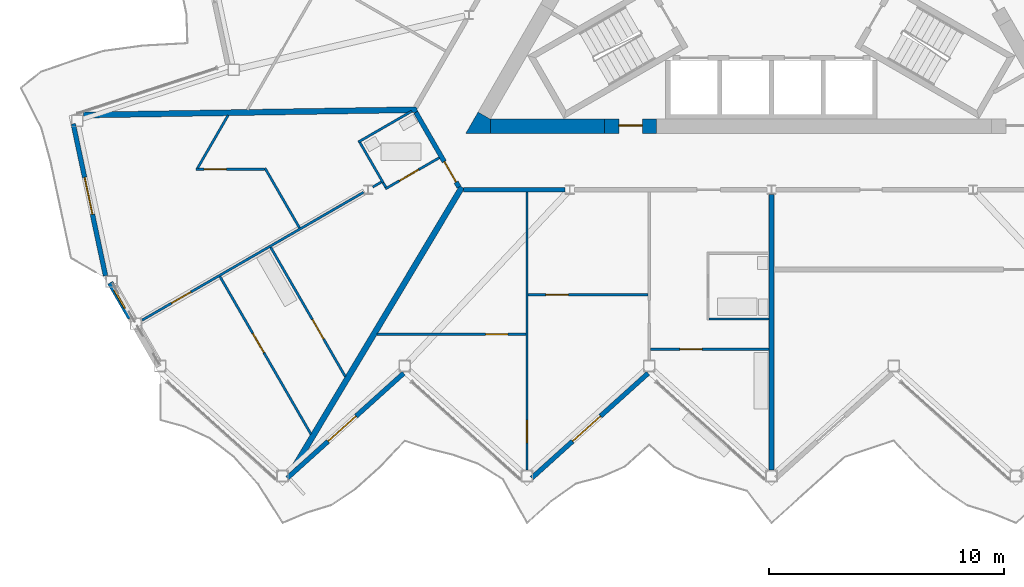
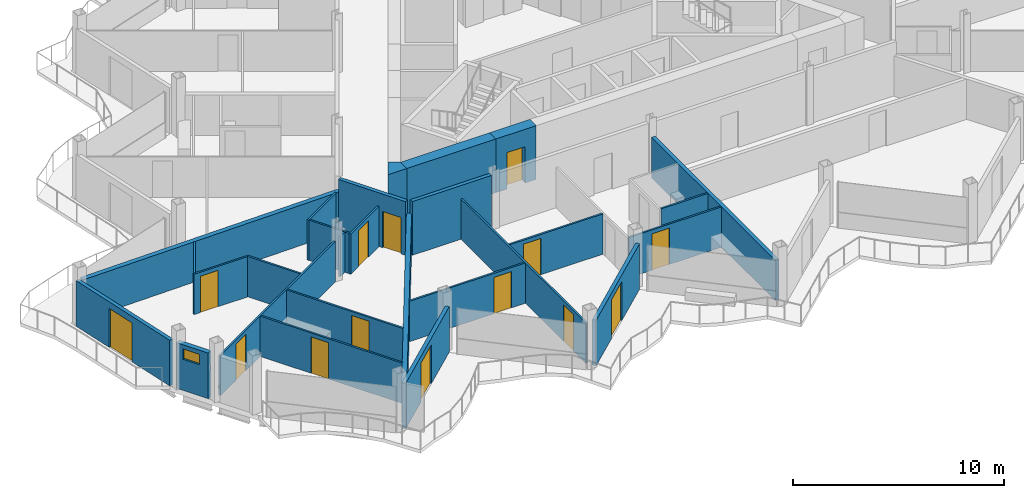
# One storey, part 12 of 26: 28 walls, 14 doors, 1 window, 15 openings.
"""IFC4 building model written with IfcOpenShell, lengths in metres."""

from ifc_helpers import new_model, si_unit, direction, frame, frame_2d, origin, place, context, subcontext, project, spatial, polyline, rectangle, outline, extrude, material, layer, layer_set, type_object, element, fill, save


model = new_model("IFC4")

# Units and contexts
model_context = context("Model", 3, precision=1e-05, world=origin(), true_north=direction((0.0, 1.0)))
body_context = subcontext(model_context, "Body", "Model", "MODEL_VIEW")
ifc_project = project(units=[si_unit("LENGTHUNIT", "METRE"), si_unit("AREAUNIT", "SQUARE_METRE"), si_unit("VOLUMEUNIT", "CUBIC_METRE"), si_unit("PLANEANGLEUNIT", "RADIAN"), si_unit("MASSUNIT", "GRAM", prefix="KILO")], contexts=[model_context])

# Site, building, storey
site_placement = place(None, origin())
site = spatial("IfcSite", under=ifc_project, at=site_placement, CompositionType="ELEMENT")
building_placement = place(site_placement, origin())
building = spatial("IfcBuilding", under=site, at=building_placement, Name="Cormorant Prow Tower", CompositionType="ELEMENT")
storey_placement = place(building_placement, frame((0.0, 0.0, 381.39990234375)))
storey = spatial("IfcBuildingStorey", under=building, at=storey_placement, Name="L86", CompositionType="ELEMENT", Elevation=381.39990234375)

# Walls
ifc_material_1 = material(Name="Concrete 8000 psi", Category="concrete")
ifc_layer_1 = layer(ifc_material_1, 0.60009765625)
ifc_layer_set_1 = layer_set([ifc_layer_1], Name="Concrete 8000 psi")
wall_type_1 = type_object("IfcWallType", Name="Core shear wall 600", PredefinedType="SHEAR", material=ifc_layer_set_1)
wall_1_placement = place(storey_placement, frame((-11.960693359375, -7.20556640625, 0.0), z_axis=(0.0, 0.0, 1.0), x_axis=(1.0, 0.0, 0.0)))
element("IfcWall", 1, at=wall_1_placement, inside=storey, type_object=wall_type_1, Name="Core wall", PredefinedType="SHEAR", context=body_context, shape_type="SweptSolid", body=[
    extrude(rectangle(XDim=4.868408203125, YDim=0.60009765625, at=frame_2d((2.43408203125, 0.0))), origin(), (0.0, 0.0, 1.0), 3.10009765625),
])
wall_2_placement = place(storey_placement, origin())
element("IfcWall", 2, at=wall_2_placement, inside=storey, type_object=wall_type_1, Name="Core wall corner", PredefinedType="SHEAR", context=body_context, shape_type="SweptSolid", body=[
    extrude(outline(polyline([(-12.48046875, -6.605712890625), (-11.960693359375, -6.905517578125), (-11.960693359375, -7.505615234375), (-13.0, -7.505615234375), (-12.48046875, -6.605712890625)])), origin(), (0.0, 0.0, 1.0), 3.10009765625),
])

# Wall, opening, door
wall_3_placement = place(storey_placement, frame((-7.09228515625, -7.20556640625, 0.0), z_axis=(0.0, 0.0, 1.0), x_axis=(1.0, 0.0, 0.0)))
wall_3 = element("IfcWall", 3, at=wall_3_placement, inside=storey, type_object=wall_type_1, Name="Core wall door panel", PredefinedType="SHEAR", context=body_context, shape_type="SweptSolid", body=[
    extrude(rectangle(XDim=2.2001953125, YDim=0.60009765625, at=frame_2d((1.10009765625, 0.0))), origin(), (0.0, 0.0, 1.0), 3.10009765625),
])
opening_1_placement = place(wall_3_placement, frame((0.60009765625, 0.0, 0.0)))
opening_1 = element("IfcOpeningElement", 4, at=opening_1_placement, cuts=wall_3, Name="Opening L86-C16", PredefinedType="OPENING", context=body_context, shape_type="SweptSolid", body=[
    extrude(rectangle(XDim=1.0, YDim=2.10009765625, at=frame_2d((0.5, 1.050048828125))), frame((0.0, 0.31005859375, 0.0), z_axis=(0.0, -1.0, 0.0), x_axis=(1.0, 0.0, 0.0)), (0.0, 0.0, 1.0), 0.6201171875),
])
ifc_material_2 = material(Name="Painted steel", Category="steel")
door_type_1 = type_object("IfcDoorType", Name="Service door 1000x2100", OperationType="NOTDEFINED", PredefinedType="DOOR", material=ifc_material_2)
door_1_placement = place(opening_1_placement, origin())
door_1 = element("IfcDoor", 5, at=door_1_placement, inside=storey, type_object=door_type_1, Name="Core door, Pantry store", OperationType="SINGLE_SWING_LEFT", OverallHeight=2.10009765625, OverallWidth=1.0, PredefinedType="DOOR", context=body_context, shape_type="SweptSolid", body=[
    extrude(rectangle(XDim=1.0, YDim=2.10009765625, at=frame_2d((0.5, 1.050048828125))), frame((0.0, 0.05517578125, 0.0), z_axis=(0.0, -1.0, 0.0), x_axis=(1.0, 0.0, 0.0)), (0.0, 0.0, 1.0), 0.050048828125),
])
fill(opening_1, door_1)

# Wall
ifc_material_3 = material(Name="Gypsum board corridor wall")
ifc_layer_2 = layer(ifc_material_3, 0.199951171875)
ifc_layer_set_2 = layer_set([ifc_layer_2], Name="Gypsum board corridor wall")
wall_type_2 = type_object("IfcWallType", Name="Corridor wall 200", PredefinedType="PARTITIONING", material=ifc_layer_set_2)
wall_4_placement = place(storey_placement, frame((-13.10595703125, -9.905517578125, 0.0), z_axis=(0.0, 0.0, 1.0), x_axis=(1.0, 0.0, 0.0)))
element("IfcWall", 6, at=wall_4_placement, inside=storey, type_object=wall_type_2, Name="Corridor wall", PredefinedType="PARTITIONING", context=body_context, shape_type="SweptSolid", body=[
    extrude(rectangle(XDim=4.33056640625, YDim=0.199951171875, at=frame_2d((2.165283203125, 0.0))), origin(), (0.0, 0.0, 1.0), 3.10009765625),
])

# Wall, opening, door
wall_5_placement = place(storey_placement, frame((-15.13134765625, -6.61376953125, 0.0), z_axis=(0.0, 0.0, 1.0), x_axis=(0.499967746641, -0.866044024469, 0.0)))
wall_5 = element("IfcWall", 7, at=wall_5_placement, inside=storey, type_object=wall_type_2, Name="Corridor wall", PredefinedType="PARTITIONING", context=body_context, shape_type="SweptSolid", body=[
    extrude(rectangle(XDim=3.676025390625, YDim=0.199951171875, at=frame_2d((1.837890625, 0.0))), origin(), (0.0, 0.0, 1.0), 3.10009765625),
])
opening_2_placement = place(wall_5_placement, frame((2.426025390625, 0.0, 0.0)))
opening_2 = element("IfcOpeningElement", 8, at=opening_2_placement, cuts=wall_5, Name="Opening L86-F46", PredefinedType="OPENING", context=body_context, shape_type="SweptSolid", body=[
    extrude(rectangle(XDim=1.0, YDim=2.10009765625, at=frame_2d((0.5, 1.050048828125))), frame((0.0, 0.10986328125, 0.0), z_axis=(0.0, -1.0, 0.0), x_axis=(1.0, 0.0, 0.0)), (0.0, 0.0, 1.0), 0.219970703125),
])
ifc_material_4 = material(Name="Timber door leaf", Category="wood")
door_type_2 = type_object("IfcDoorType", Name="Flat or room entrance door 1000x2100", OperationType="NOTDEFINED", PredefinedType="DOOR", material=ifc_material_4)
door_2_placement = place(opening_2_placement, origin())
door_2 = element("IfcDoor", 9, at=door_2_placement, inside=storey, type_object=door_type_2, Name="Living room door", OperationType="SINGLE_SWING_RIGHT", OverallHeight=2.10009765625, OverallWidth=1.0, PredefinedType="DOOR", context=body_context, shape_type="SweptSolid", body=[
    extrude(rectangle(XDim=1.0, YDim=2.10009765625, at=frame_2d((0.5, 1.050048828125))), frame((0.0, 0.02490234375, 0.0), z_axis=(0.0, -1.0, 0.0), x_axis=(1.0, 0.0, 0.0)), (0.0, 0.0, 1.0), 0.050048828125),
])
fill(opening_2, door_2)

# Wall
ifc_material_5 = material(Name="Gypsum board demising wall")
ifc_layer_3 = layer(ifc_material_5, 0.199951171875)
ifc_layer_set_3 = layer_set([ifc_layer_3], Name="Gypsum board demising wall")
wall_type_3 = type_object("IfcWallType", Name="Demising wall 200", PredefinedType="PARTITIONING", material=ifc_layer_set_3)
wall_6_placement = place(storey_placement, frame((0.0, -21.827880859375, 0.0), z_axis=(0.0, 0.0, 1.0), x_axis=(0.0, 1.0, 0.0)))
element("IfcWall", 10, at=wall_6_placement, inside=storey, type_object=wall_type_3, Name="Demising wall", PredefinedType="PARTITIONING", context=body_context, shape_type="SweptSolid", body=[
    extrude(rectangle(XDim=11.725341796875, YDim=0.199951171875, at=frame_2d((5.86279296875, 0.0))), origin(), (0.0, 0.0, 1.0), 2.330078125),
])

# Wall, opening, door
ifc_material_6 = material(Name="Gypsum board partition")
ifc_layer_4 = layer(ifc_material_6, 0.10009765625)
ifc_layer_set_4 = layer_set([ifc_layer_4], Name="Gypsum board partition")
wall_type_4 = type_object("IfcWallType", Name="Internal partition 100", PredefinedType="PARTITIONING", material=ifc_layer_set_4)
wall_7_placement = place(storey_placement, frame((-10.39990234375, -21.827880859375, 0.0), z_axis=(0.0, 0.0, 1.0), x_axis=(0.0, 1.0, 0.0)))
wall_7 = element("IfcWall", 11, at=wall_7_placement, inside=storey, type_object=wall_type_4, Name="Internal partition", PredefinedType="PARTITIONING", context=body_context, shape_type="SweptSolid", body=[
    extrude(rectangle(XDim=11.822265625, YDim=0.10009765625, at=frame_2d((5.9111328125, 0.0))), origin(), (0.0, 0.0, 1.0), 2.330078125),
])
opening_3_placement = place(wall_7_placement, frame((1.15625, 0.0, 0.0)))
opening_3 = element("IfcOpeningElement", 12, at=opening_3_placement, cuts=wall_7, Name="Opening L86-F06", PredefinedType="OPENING", context=body_context, shape_type="SweptSolid", body=[
    extrude(rectangle(XDim=0.949951171875, YDim=2.10009765625, at=frame_2d((0.47509765625, 1.050048828125))), frame((0.0, 0.06005859375, 0.0), z_axis=(0.0, -1.0, 0.0), x_axis=(1.0, 0.0, 0.0)), (0.0, 0.0, 1.0), 0.1201171875),
])
ifc_material_7 = material(Name="Timber door leaf", Category="wood")
door_type_3 = type_object("IfcDoorType", Name="Bathroom door 950x2100", OperationType="NOTDEFINED", PredefinedType="DOOR", material=ifc_material_7)
door_3_placement = place(opening_3_placement, origin())
door_3 = element("IfcDoor", 13, at=door_3_placement, inside=storey, type_object=door_type_3, Name="Bedroom door", OperationType="SINGLE_SWING_RIGHT", OverallHeight=2.10009765625, OverallWidth=0.949951171875, PredefinedType="DOOR", context=body_context, shape_type="SweptSolid", body=[
    extrude(rectangle(XDim=0.949951171875, YDim=2.10009765625, at=frame_2d((0.47509765625, 1.050048828125))), frame((0.0, 0.02490234375, 0.0), z_axis=(0.0, -1.0, 0.0), x_axis=(1.0, 0.0, 0.0)), (0.0, 0.0, 1.0), 0.050048828125),
])
fill(opening_3, door_3)

wall_8_placement = place(storey_placement, frame((-26.77685546875, -15.459716796875, 0.0), z_axis=(0.0, 0.0, 1.0), x_axis=(0.866019680922, 0.500009912158, 0.0)))
wall_8 = element("IfcWall", 14, at=wall_8_placement, inside=storey, type_object=wall_type_4, Name="Internal partition", PredefinedType="PARTITIONING", context=body_context, shape_type="SweptSolid", body=[
    extrude(rectangle(XDim=10.880615234375, YDim=0.10009765625, at=frame_2d((5.4404296875, 0.0))), origin(), (0.0, 0.0, 1.0), 2.330078125),
])
opening_4_placement = place(wall_8_placement, frame((1.453857421875, 0.0, 0.0)))
opening_4 = element("IfcOpeningElement", 15, at=opening_4_placement, cuts=wall_8, Name="Opening L86-F50", PredefinedType="OPENING", context=body_context, shape_type="SweptSolid", body=[
    extrude(rectangle(XDim=0.949951171875, YDim=2.10009765625, at=frame_2d((0.47509765625, 1.050048828125))), frame((0.0, 0.06005859375, 0.0), z_axis=(0.0, -1.0, 0.0), x_axis=(1.0, 0.0, 0.0)), (0.0, 0.0, 1.0), 0.1201171875),
])
door_4_placement = place(opening_4_placement, origin())
door_4 = element("IfcDoor", 16, at=door_4_placement, inside=storey, type_object=door_type_3, Name="Dining room door", OperationType="SINGLE_SWING_LEFT", OverallHeight=2.10009765625, OverallWidth=0.949951171875, PredefinedType="DOOR", context=body_context, shape_type="SweptSolid", body=[
    extrude(rectangle(XDim=0.949951171875, YDim=2.10009765625, at=frame_2d((0.47509765625, 1.050048828125))), frame((0.0, 0.02490234375, 0.0), z_axis=(0.0, -1.0, 0.0), x_axis=(1.0, 0.0, 0.0)), (0.0, 0.0, 1.0), 0.050048828125),
])
fill(opening_4, door_4)

wall_9_placement = place(storey_placement, frame((-23.461669921875, -13.603271484375, 0.0), z_axis=(0.0, 0.0, 1.0), x_axis=(0.499998111909, -0.866026493871, 0.0)))
wall_9 = element("IfcWall", 17, at=wall_9_placement, inside=storey, type_object=wall_type_4, Name="Internal partition", PredefinedType="PARTITIONING", context=body_context, shape_type="SweptSolid", body=[
    extrude(rectangle(XDim=7.7431640625, YDim=0.10009765625, at=frame_2d((3.87158203125, 0.0))), origin(), (0.0, 0.0, 1.0), 2.330078125),
])
opening_5_placement = place(wall_9_placement, frame((2.78759765625, 0.0, 0.0)))
opening_5 = element("IfcOpeningElement", 18, at=opening_5_placement, cuts=wall_9, Name="Opening L86-F49", PredefinedType="OPENING", context=body_context, shape_type="SweptSolid", body=[
    extrude(rectangle(XDim=0.949951171875, YDim=2.10009765625, at=frame_2d((0.47509765625, 1.050048828125))), frame((0.0, 0.06005859375, 0.0), z_axis=(0.0, -1.0, 0.0), x_axis=(1.0, 0.0, 0.0)), (0.0, 0.0, 1.0), 0.1201171875),
])
door_5_placement = place(opening_5_placement, origin())
door_5 = element("IfcDoor", 19, at=door_5_placement, inside=storey, type_object=door_type_3, Name="Kitchen door", OperationType="SINGLE_SWING_RIGHT", OverallHeight=2.10009765625, OverallWidth=0.949951171875, PredefinedType="DOOR", context=body_context, shape_type="SweptSolid", body=[
    extrude(rectangle(XDim=0.949951171875, YDim=2.10009765625, at=frame_2d((0.47509765625, 1.050048828125))), frame((0.0, 0.02490234375, 0.0), z_axis=(0.0, -1.0, 0.0), x_axis=(1.0, 0.0, 0.0)), (0.0, 0.0, 1.0), 0.050048828125),
])
fill(opening_5, door_5)

wall_10_placement = place(storey_placement, frame((-21.30419921875, -12.35791015625, 0.0), z_axis=(0.0, 0.0, 1.0), x_axis=(0.500000558108, -0.866025081561, 0.0)))
wall_10 = element("IfcWall", 20, at=wall_10_placement, inside=storey, type_object=wall_type_4, Name="Internal partition", PredefinedType="PARTITIONING", context=body_context, shape_type="SweptSolid", body=[
    extrude(rectangle(XDim=6.35791015625, YDim=0.10009765625, at=frame_2d((3.178955078125, 0.0))), origin(), (0.0, 0.0, 1.0), 2.330078125),
])
opening_6_placement = place(wall_10_placement, frame((3.555419921875, 0.0, 0.0)))
opening_6 = element("IfcOpeningElement", 21, at=opening_6_placement, cuts=wall_10, Name="Opening L86-F48", PredefinedType="OPENING", context=body_context, shape_type="SweptSolid", body=[
    extrude(rectangle(XDim=0.949951171875, YDim=2.10009765625, at=frame_2d((0.47509765625, 1.050048828125))), frame((0.0, 0.06005859375, 0.0), z_axis=(0.0, -1.0, 0.0), x_axis=(1.0, 0.0, 0.0)), (0.0, 0.0, 1.0), 0.1201171875),
])
door_6_placement = place(opening_6_placement, origin())
door_6 = element("IfcDoor", 22, at=door_6_placement, inside=storey, type_object=door_type_3, Name="Living room door", OperationType="SINGLE_SWING_RIGHT", OverallHeight=2.10009765625, OverallWidth=0.949951171875, PredefinedType="DOOR", context=body_context, shape_type="SweptSolid", body=[
    extrude(rectangle(XDim=0.949951171875, YDim=2.10009765625, at=frame_2d((0.47509765625, 1.050048828125))), frame((0.0, 0.02490234375, 0.0), z_axis=(0.0, -1.0, 0.0), x_axis=(1.0, 0.0, 0.0)), (0.0, 0.0, 1.0), 0.050048828125),
])
fill(opening_6, door_6)

wall_11_placement = place(storey_placement, frame((-16.781494140625, -16.055419921875, 0.0), z_axis=(0.0, 0.0, 1.0), x_axis=(1.0, 0.0, 0.0)))
wall_11 = element("IfcWall", 23, at=wall_11_placement, inside=storey, type_object=wall_type_4, Name="Internal partition", PredefinedType="PARTITIONING", context=body_context, shape_type="SweptSolid", body=[
    extrude(rectangle(XDim=6.33154296875, YDim=0.10009765625, at=frame_2d((3.165771484375, 0.0))), origin(), (0.0, 0.0, 1.0), 2.330078125),
])
opening_7_placement = place(wall_11_placement, frame((4.623046875, 0.0, 0.0)))
opening_7 = element("IfcOpeningElement", 24, at=opening_7_placement, cuts=wall_11, Name="Opening L86-F07", PredefinedType="OPENING", context=body_context, shape_type="SweptSolid", body=[
    extrude(rectangle(XDim=0.949951171875, YDim=2.10009765625, at=frame_2d((0.47509765625, 1.050048828125))), frame((0.0, 0.06005859375, 0.0), z_axis=(0.0, -1.0, 0.0), x_axis=(1.0, 0.0, 0.0)), (0.0, 0.0, 1.0), 0.1201171875),
])
door_7_placement = place(opening_7_placement, origin())
door_7 = element("IfcDoor", 25, at=door_7_placement, inside=storey, type_object=door_type_3, Name="Bedroom door", OperationType="SINGLE_SWING_RIGHT", OverallHeight=2.10009765625, OverallWidth=0.949951171875, PredefinedType="DOOR", context=body_context, shape_type="SweptSolid", body=[
    extrude(rectangle(XDim=0.949951171875, YDim=2.10009765625, at=frame_2d((0.47509765625, 1.050048828125))), frame((0.0, 0.02490234375, 0.0), z_axis=(0.0, -1.0, 0.0), x_axis=(1.0, 0.0, 0.0)), (0.0, 0.0, 1.0), 0.050048828125),
])
fill(opening_7, door_7)

wall_12_placement = place(storey_placement, frame((-5.14990234375, -16.689208984375, 0.0), z_axis=(0.0, 0.0, 1.0), x_axis=(1.0, 0.0, 0.0)))
wall_12 = element("IfcWall", 26, at=wall_12_placement, inside=storey, type_object=wall_type_4, Name="Internal partition", PredefinedType="PARTITIONING", context=body_context, shape_type="SweptSolid", body=[
    extrude(rectangle(XDim=5.0498046875, YDim=0.10009765625, at=frame_2d((2.52490234375, 0.0))), origin(), (0.0, 0.0, 1.0), 2.330078125),
])
opening_8_placement = place(wall_12_placement, frame((1.25, 0.0, 0.0)))
opening_8 = element("IfcOpeningElement", 27, at=opening_8_placement, cuts=wall_12, Name="Opening L86-F03", PredefinedType="OPENING", context=body_context, shape_type="SweptSolid", body=[
    extrude(rectangle(XDim=0.949951171875, YDim=2.10009765625, at=frame_2d((0.47509765625, 1.050048828125))), frame((0.0, 0.06005859375, 0.0), z_axis=(0.0, -1.0, 0.0), x_axis=(1.0, 0.0, 0.0)), (0.0, 0.0, 1.0), 0.1201171875),
])
door_8_placement = place(opening_8_placement, origin())
door_8 = element("IfcDoor", 28, at=door_8_placement, inside=storey, type_object=door_type_3, Name="Living room door", OperationType="SINGLE_SWING_RIGHT", OverallHeight=2.10009765625, OverallWidth=0.949951171875, PredefinedType="DOOR", context=body_context, shape_type="SweptSolid", body=[
    extrude(rectangle(XDim=0.949951171875, YDim=2.10009765625, at=frame_2d((0.47509765625, 1.050048828125))), frame((0.0, 0.02490234375, 0.0), z_axis=(0.0, -1.0, 0.0), x_axis=(1.0, 0.0, 0.0)), (0.0, 0.0, 1.0), 0.050048828125),
])
fill(opening_8, door_8)

wall_13_placement = place(storey_placement, frame((-10.35009765625, -14.381591796875, 0.0), z_axis=(0.0, 0.0, 1.0), x_axis=(1.0, 0.0, 0.0)))
wall_13 = element("IfcWall", 29, at=wall_13_placement, inside=storey, type_object=wall_type_4, Name="Internal partition", PredefinedType="PARTITIONING", context=body_context, shape_type="SweptSolid", body=[
    extrude(rectangle(XDim=5.10009765625, YDim=0.10009765625, at=frame_2d((2.550048828125, 0.0))), origin(), (0.0, 0.0, 1.0), 2.330078125),
])
opening_9_placement = place(wall_13_placement, frame((0.7568359375, 0.0, 0.0)))
opening_9 = element("IfcOpeningElement", 30, at=opening_9_placement, cuts=wall_13, Name="Opening L86-F05", PredefinedType="OPENING", context=body_context, shape_type="SweptSolid", body=[
    extrude(rectangle(XDim=0.949951171875, YDim=2.10009765625, at=frame_2d((0.47509765625, 1.050048828125))), frame((0.0, 0.06005859375, 0.0), z_axis=(0.0, -1.0, 0.0), x_axis=(1.0, 0.0, 0.0)), (0.0, 0.0, 1.0), 0.1201171875),
])
door_9_placement = place(opening_9_placement, origin())
door_9 = element("IfcDoor", 31, at=door_9_placement, inside=storey, type_object=door_type_3, Name="Bedroom door", OperationType="SINGLE_SWING_LEFT", OverallHeight=2.10009765625, OverallWidth=0.949951171875, PredefinedType="DOOR", context=body_context, shape_type="SweptSolid", body=[
    extrude(rectangle(XDim=0.949951171875, YDim=2.10009765625, at=frame_2d((0.47509765625, 1.050048828125))), frame((0.0, 0.02490234375, 0.0), z_axis=(0.0, -1.0, 0.0), x_axis=(1.0, 0.0, 0.0)), (0.0, 0.0, 1.0), 0.050048828125),
])
fill(opening_9, door_9)

# Wall
wall_14_placement = place(storey_placement, frame((-21.5458984375, -8.98876953125, 0.0), z_axis=(0.0, 0.0, 1.0), x_axis=(0.499919039967, -0.866072141036, 0.0)))
element("IfcWall", 32, at=wall_14_placement, inside=storey, type_object=wall_type_4, Name="Internal partition", PredefinedType="PARTITIONING", context=body_context, shape_type="SweptSolid", body=[
    extrude(rectangle(XDim=2.9384765625, YDim=0.10009765625, at=frame_2d((1.46923828125, 0.0))), origin(), (0.0, 0.0, 1.0), 2.330078125),
])

# Wall, opening, door
wall_15_placement = place(storey_placement, frame((-24.488525390625, -9.031982421875, 0.0), z_axis=(0.0, 0.0, 1.0), x_axis=(1.0, 0.0, 0.0)))
wall_15 = element("IfcWall", 33, at=wall_15_placement, inside=storey, type_object=wall_type_4, Name="Internal partition", PredefinedType="PARTITIONING", context=body_context, shape_type="SweptSolid", body=[
    extrude(rectangle(XDim=2.91748046875, YDim=0.10009765625, at=frame_2d((1.458740234375, 0.0))), origin(), (0.0, 0.0, 1.0), 2.330078125),
])
opening_10_placement = place(wall_15_placement, frame((0.354736328125, 0.0, 0.0)))
opening_10 = element("IfcOpeningElement", 34, at=opening_10_placement, cuts=wall_15, Name="Opening L86-F51", PredefinedType="OPENING", context=body_context, shape_type="SweptSolid", body=[
    extrude(rectangle(XDim=0.949951171875, YDim=2.10009765625, at=frame_2d((0.47509765625, 1.050048828125))), frame((0.0, 0.06005859375, 0.0), z_axis=(0.0, -1.0, 0.0), x_axis=(1.0, 0.0, 0.0)), (0.0, 0.0, 1.0), 0.1201171875),
])
door_10_placement = place(opening_10_placement, origin())
door_10 = element("IfcDoor", 35, at=door_10_placement, inside=storey, type_object=door_type_3, Name="Principal bedroom door", OperationType="SINGLE_SWING_LEFT", OverallHeight=2.10009765625, OverallWidth=0.949951171875, PredefinedType="DOOR", context=body_context, shape_type="SweptSolid", body=[
    extrude(rectangle(XDim=0.949951171875, YDim=2.10009765625, at=frame_2d((0.47509765625, 1.050048828125))), frame((0.0, 0.02490234375, 0.0), z_axis=(0.0, -1.0, 0.0), x_axis=(1.0, 0.0, 0.0)), (0.0, 0.0, 1.0), 0.050048828125),
])
fill(opening_10, door_10)

# Walls
wall_16_placement = place(storey_placement, frame((-24.41357421875, -8.98876953125, 0.0), z_axis=(0.0, 0.0, 1.0), x_axis=(0.500042595688, 0.866000809756, 0.0)))
element("IfcWall", 36, at=wall_16_placement, inside=storey, type_object=wall_type_4, Name="Internal partition", PredefinedType="PARTITIONING", context=body_context, shape_type="SweptSolid", body=[
    extrude(rectangle(XDim=2.596435546875, YDim=0.10009765625, at=frame_2d((1.29833984375, 0.0))), origin(), (0.0, 0.0, 1.0), 2.330078125),
])
wall_17_placement = place(storey_placement, frame((-2.64990234375, -15.405517578125, 0.0), z_axis=(0.0, 0.0, 1.0), x_axis=(1.0, 0.0, 0.0)))
element("IfcWall", 37, at=wall_17_placement, inside=storey, type_object=wall_type_4, Name="Internal partition", PredefinedType="PARTITIONING", context=body_context, shape_type="SweptSolid", body=[
    extrude(rectangle(XDim=2.5498046875, YDim=0.10009765625, at=frame_2d((1.27490234375, 0.0))), origin(), (0.0, 0.0, 1.0), 2.330078125),
])
wall_18_placement = place(storey_placement, frame((-17.575439453125, -7.880615234375, 0.0), z_axis=(0.0, 0.0, 1.0), x_axis=(0.866036909293, 0.499980071345, 0.0)))
element("IfcWall", 38, at=wall_18_placement, inside=storey, type_object=wall_type_4, Name="Internal partition", PredefinedType="PARTITIONING", context=body_context, shape_type="SweptSolid", body=[
    extrude(rectangle(XDim=2.625, YDim=0.10009765625, at=frame_2d((1.3125, 0.0))), origin(), (0.0, 0.0, 1.0), 2.330078125),
])

# Wall, opening, door
wall_19_placement = place(storey_placement, frame((-16.4248046875, -9.871826171875, 0.0), z_axis=(0.0, 0.0, 1.0), x_axis=(0.86603978909, 0.499975083092, 0.0)))
wall_19 = element("IfcWall", 39, at=wall_19_placement, inside=storey, type_object=wall_type_4, Name="Internal partition", PredefinedType="PARTITIONING", context=body_context, shape_type="SweptSolid", body=[
    extrude(rectangle(XDim=2.649169921875, YDim=0.10009765625, at=frame_2d((1.32470703125, 0.0))), origin(), (0.0, 0.0, 1.0), 2.330078125),
])
opening_11_placement = place(wall_19_placement, frame((0.68603515625, 0.0, 0.0)))
opening_11 = element("IfcOpeningElement", 40, at=opening_11_placement, cuts=wall_19, Name="Opening L86-F47", PredefinedType="OPENING", context=body_context, shape_type="SweptSolid", body=[
    extrude(rectangle(XDim=0.949951171875, YDim=2.10009765625, at=frame_2d((0.47509765625, 1.050048828125))), frame((0.0, 0.06005859375, 0.0), z_axis=(0.0, -1.0, 0.0), x_axis=(1.0, 0.0, 0.0)), (0.0, 0.0, 1.0), 0.1201171875),
])
door_11_placement = place(opening_11_placement, origin())
door_11 = element("IfcDoor", 41, at=door_11_placement, inside=storey, type_object=door_type_3, Name="Living room door", OperationType="SINGLE_SWING_LEFT", OverallHeight=2.10009765625, OverallWidth=0.949951171875, PredefinedType="DOOR", context=body_context, shape_type="SweptSolid", body=[
    extrude(rectangle(XDim=0.949951171875, YDim=2.10009765625, at=frame_2d((0.47509765625, 1.050048828125))), frame((0.0, 0.02490234375, 0.0), z_axis=(0.0, -1.0, 0.0), x_axis=(1.0, 0.0, 0.0)), (0.0, 0.0, 1.0), 0.050048828125),
])
fill(opening_11, door_11)

# Walls
wall_20_placement = place(storey_placement, frame((-17.507080078125, -7.898681640625, 0.0), z_axis=(0.0, 0.0, 1.0), x_axis=(0.500011643316, -0.866018681408, 0.0)))
element("IfcWall", 42, at=wall_20_placement, inside=storey, type_object=wall_type_4, Name="Internal partition", PredefinedType="PARTITIONING", context=body_context, shape_type="SweptSolid", body=[
    extrude(rectangle(XDim=1.97314453125, YDim=0.10009765625, at=frame_2d((0.986572265625, 0.0))), origin(), (0.0, 0.0, 1.0), 2.330078125),
])
wall_21_placement = place(storey_placement, frame((-16.9599609375, -9.791748046875, 0.0), z_axis=(0.0, 0.0, 1.0), x_axis=(0.866137484628, 0.499805820016, 0.0)))
element("IfcWall", 43, at=wall_21_placement, inside=storey, type_object=wall_type_4, Name="Internal partition", PredefinedType="PARTITIONING", context=body_context, shape_type="SweptSolid", body=[
    extrude(rectangle(XDim=0.422607421875, YDim=0.10009765625, at=frame_2d((0.21142578125, 0.0))), origin(), (0.0, 0.0, 1.0), 2.330078125),
])
wall_22_placement = place(storey_placement, frame((-16.519287109375, -9.609619140625, 0.0), z_axis=(0.0, 0.0, 1.0), x_axis=(0.50245032488, -0.864606078528, 0.0)))
element("IfcWall", 44, at=wall_22_placement, inside=storey, type_object=wall_type_4, Name="Internal partition", PredefinedType="PARTITIONING", context=body_context, shape_type="SweptSolid", body=[
    extrude(rectangle(XDim=0.224365234375, YDim=0.10009765625, at=frame_2d((0.1123046875, 0.0))), origin(), (0.0, 0.0, 1.0), 2.330078125),
])
ifc_material_8 = material(Name="Acoustic gypsum party wall")
ifc_layer_5 = layer(ifc_material_8, 0.25)
ifc_layer_set_5 = layer_set([ifc_layer_5], Name="Acoustic gypsum party wall")
wall_type_5 = type_object("IfcWallType", Name="Suite party wall 250", PredefinedType="PARTITIONING", material=ifc_layer_set_5)
wall_23_placement = place(storey_placement, frame((-20.33837890625, -21.77099609375, 0.0), z_axis=(0.0, 0.0, 1.0), x_axis=(0.513878217441, 0.857863146218, 0.0)))
element("IfcWall", 45, at=wall_23_placement, inside=storey, type_object=wall_type_5, Name="Suite party wall", PredefinedType="PARTITIONING", context=body_context, shape_type="SweptSolid", body=[
    extrude(rectangle(XDim=13.956298828125, YDim=0.25, at=frame_2d((6.97802734375, 0.0))), origin(), (0.0, 0.0, 1.0), 2.330078125),
])
wall_24_placement = place(storey_placement, frame((-29.2685546875, -6.73193359375, 0.0), z_axis=(0.0, 0.0, 1.0), x_axis=(0.999870533117, 0.016090898164, 0.0)))
element("IfcWall", 46, at=wall_24_placement, inside=storey, type_object=wall_type_5, Name="Suite party wall", PredefinedType="PARTITIONING", context=body_context, shape_type="SweptSolid", body=[
    extrude(rectangle(XDim=14.20166015625, YDim=0.25, at=frame_2d((7.100830078125, 0.0))), origin(), (0.0, 0.0, 1.0), 2.330078125),
])

# Wall, opening, window
ifc_material_9 = material(Name="Terracotta", Category="masonry")
ifc_layer_6 = layer(ifc_material_9, 0.25)
ifc_layer_set_6 = layer_set([ifc_layer_6], Name="Terracotta")
wall_type_6 = type_object("IfcWallType", Name="Terracotta bay wall 250", PredefinedType="SOLIDWALL", material=ifc_layer_set_6)
wall_25_placement = place(storey_placement, frame((-28.13232421875, -13.8662109375, 0.0), z_axis=(0.0, 0.0, 1.0), x_axis=(0.499975693202, -0.866039436866, 0.0)))
wall_25 = element("IfcWall", 47, at=wall_25_placement, inside=storey, type_object=wall_type_6, Name="Terracotta bay wall WSW00", PredefinedType="SOLIDWALL", context=body_context, shape_type="SweptSolid", body=[
    extrude(rectangle(XDim=1.724609375, YDim=0.25, at=frame_2d((0.8623046875, 0.0))), origin(), (0.0, 0.0, 1.0), 2.634033203125),
])
opening_12_placement = place(wall_25_placement, frame((0.35009765625, 0.0, 1.800048828125)))
opening_12 = element("IfcOpeningElement", 48, at=opening_12_placement, cuts=wall_25, Name="Opening WN7", PredefinedType="OPENING", context=body_context, shape_type="SweptSolid", body=[
    extrude(rectangle(XDim=0.89990234375, YDim=0.60009765625, at=frame_2d((0.449951171875, 0.300048828125))), frame((0.0, 0.135009765625, 0.0), z_axis=(0.0, -1.0, 0.0), x_axis=(1.0, 0.0, 0.0)), (0.0, 0.0, 1.0), 0.27001953125),
])
ifc_material_10 = material(Name="Aluminium 6063-T6", Category="aluminium")
window_type = type_object("IfcWindowType", Name="Corner bay window 900x600", PartitioningType="SINGLE_PANEL", PredefinedType="WINDOW", material=ifc_material_10)
window_placement = place(opening_12_placement, origin())
window = element("IfcWindow", 49, at=window_placement, inside=storey, type_object=window_type, Name="Corner bay window WSW00", OverallHeight=0.60009765625, OverallWidth=0.89990234375, PartitioningType="SINGLE_PANEL", PredefinedType="WINDOW", context=body_context, shape_type="SweptSolid", body=[
    extrude(rectangle(XDim=0.89990234375, YDim=0.60009765625, at=frame_2d((0.449951171875, 0.300048828125))), frame((0.0, 0.030029296875, 0.0), z_axis=(0.0, -1.0, 0.0), x_axis=(1.0, 0.0, 0.0)), (0.0, 0.0, 1.0), 0.06005859375),
])
fill(opening_12, window)

# Wall, opening, door
ifc_material_11 = material(Name="Terracotta", Category="masonry")
ifc_layer_7 = layer(ifc_material_11, 0.199951171875)
ifc_layer_set_7 = layer_set([ifc_layer_7], Name="Terracotta")
wall_type_7 = type_object("IfcWallType", Name="Terracotta jamb wall 200", PredefinedType="SOLIDWALL", material=ifc_layer_set_7)
wall_26_placement = place(storey_placement, frame((-20.594970703125, -22.172607421875, 0.0), z_axis=(0.0, 0.0, 1.0), x_axis=(0.743135582201, 0.669140871915, 0.0)))
wall_26 = element("IfcWall", 50, at=wall_26_placement, inside=storey, type_object=wall_type_7, Name="Terracotta jamb wall S01", PredefinedType="SOLIDWALL", context=body_context, shape_type="SweptSolid", body=[
    extrude(rectangle(XDim=6.66162109375, YDim=0.199951171875, at=frame_2d((3.330810546875, 0.0))), origin(), (0.0, 0.0, 1.0), 2.634033203125),
])
opening_13_placement = place(wall_26_placement, frame((2.332763671875, 0.0, 0.0)))
opening_13 = element("IfcOpeningElement", 51, at=opening_13_placement, cuts=wall_26, Name="Opening ED86.01", PredefinedType="OPENING", context=body_context, shape_type="SweptSolid", body=[
    extrude(rectangle(XDim=1.60009765625, YDim=2.25, at=frame_2d((0.800048828125, 1.125))), frame((0.0, 0.10986328125, 0.0), z_axis=(0.0, -1.0, 0.0), x_axis=(1.0, 0.0, 0.0)), (0.0, 0.0, 1.0), 0.219970703125),
])
ifc_material_12 = material(Name="Aluminium 6063-T6", Category="aluminium")
door_type_4 = type_object("IfcDoorType", Name="Balcony door 1600x2250", OperationType="DOUBLE_DOOR_SINGLE_SWING", PredefinedType="DOOR", material=ifc_material_12)
door_12_placement = place(opening_13_placement, origin())
door_12 = element("IfcDoor", 52, at=door_12_placement, inside=storey, type_object=door_type_4, Name="Balcony door S01 ED86.01", OperationType="DOUBLE_DOOR_SINGLE_SWING", OverallHeight=2.25, OverallWidth=1.60009765625, PredefinedType="DOOR", context=body_context, shape_type="SweptSolid", body=[
    extrude(rectangle(XDim=1.60009765625, YDim=2.25, at=frame_2d((0.800048828125, 1.125))), frame((0.0, 0.02490234375, 0.0), z_axis=(0.0, -1.0, 0.0), x_axis=(1.0, 0.0, 0.0)), (0.0, 0.0, 1.0), 0.050048828125),
])
fill(opening_13, door_12)

wall_27_placement = place(storey_placement, frame((-10.19482421875, -22.172607421875, 0.0), z_axis=(0.0, 0.0, 1.0), x_axis=(0.743119171875, 0.669159096473, 0.0)))
wall_27 = element("IfcWall", 53, at=wall_27_placement, inside=storey, type_object=wall_type_7, Name="Terracotta jamb wall S03", PredefinedType="SOLIDWALL", context=body_context, shape_type="SweptSolid", body=[
    extrude(rectangle(XDim=6.661376953125, YDim=0.199951171875, at=frame_2d((3.33056640625, 0.0))), origin(), (0.0, 0.0, 1.0), 2.634033203125),
])
opening_14_placement = place(wall_27_placement, frame((2.332763671875, 0.0, 0.0)))
opening_14 = element("IfcOpeningElement", 54, at=opening_14_placement, cuts=wall_27, Name="Opening ED86.02", PredefinedType="OPENING", context=body_context, shape_type="SweptSolid", body=[
    extrude(rectangle(XDim=1.60009765625, YDim=2.25, at=frame_2d((0.800048828125, 1.125))), frame((0.0, 0.10986328125, 0.0), z_axis=(0.0, -1.0, 0.0), x_axis=(1.0, 0.0, 0.0)), (0.0, 0.0, 1.0), 0.219970703125),
])
door_13_placement = place(opening_14_placement, origin())
door_13 = element("IfcDoor", 55, at=door_13_placement, inside=storey, type_object=door_type_4, Name="Balcony door S03 ED86.02", OperationType="DOUBLE_DOOR_SINGLE_SWING", OverallHeight=2.25, OverallWidth=1.60009765625, PredefinedType="DOOR", context=body_context, shape_type="SweptSolid", body=[
    extrude(rectangle(XDim=1.60009765625, YDim=2.25, at=frame_2d((0.800048828125, 1.125))), frame((0.0, 0.02490234375, 0.0), z_axis=(0.0, -1.0, 0.0), x_axis=(1.0, 0.0, 0.0)), (0.0, 0.0, 1.0), 0.050048828125),
])
fill(opening_14, door_13)

wall_28_placement = place(storey_placement, frame((-29.70458984375, -7.104736328125, 0.0), z_axis=(0.0, 0.0, 1.0), x_axis=(0.207924998532, -0.978144771997, 0.0)))
wall_28 = element("IfcWall", 56, at=wall_28_placement, inside=storey, type_object=wall_type_7, Name="Terracotta jamb wall WNW09", PredefinedType="SOLIDWALL", context=body_context, shape_type="SweptSolid", body=[
    extrude(rectangle(XDim=6.61181640625, YDim=0.199951171875, at=frame_2d((3.305908203125, 0.0))), origin(), (0.0, 0.0, 1.0), 2.634033203125),
])
opening_15_placement = place(wall_28_placement, frame((2.332763671875, 0.0, 0.0)))
opening_15 = element("IfcOpeningElement", 57, at=opening_15_placement, cuts=wall_28, Name="Opening ED86.15", PredefinedType="OPENING", context=body_context, shape_type="SweptSolid", body=[
    extrude(rectangle(XDim=1.60009765625, YDim=2.25, at=frame_2d((0.800048828125, 1.125))), frame((0.0, 0.10986328125, 0.0), z_axis=(0.0, -1.0, 0.0), x_axis=(1.0, 0.0, 0.0)), (0.0, 0.0, 1.0), 0.219970703125),
])
door_14_placement = place(opening_15_placement, origin())
door_14 = element("IfcDoor", 58, at=door_14_placement, inside=storey, type_object=door_type_4, Name="Balcony door WNW09 ED86.15", OperationType="DOUBLE_DOOR_SINGLE_SWING", OverallHeight=2.25, OverallWidth=1.60009765625, PredefinedType="DOOR", context=body_context, shape_type="SweptSolid", body=[
    extrude(rectangle(XDim=1.60009765625, YDim=2.25, at=frame_2d((0.800048828125, 1.125))), frame((0.0, 0.02490234375, 0.0), z_axis=(0.0, -1.0, 0.0), x_axis=(1.0, 0.0, 0.0)), (0.0, 0.0, 1.0), 0.050048828125),
])
fill(opening_15, door_14)

save(model, "model.ifc")
